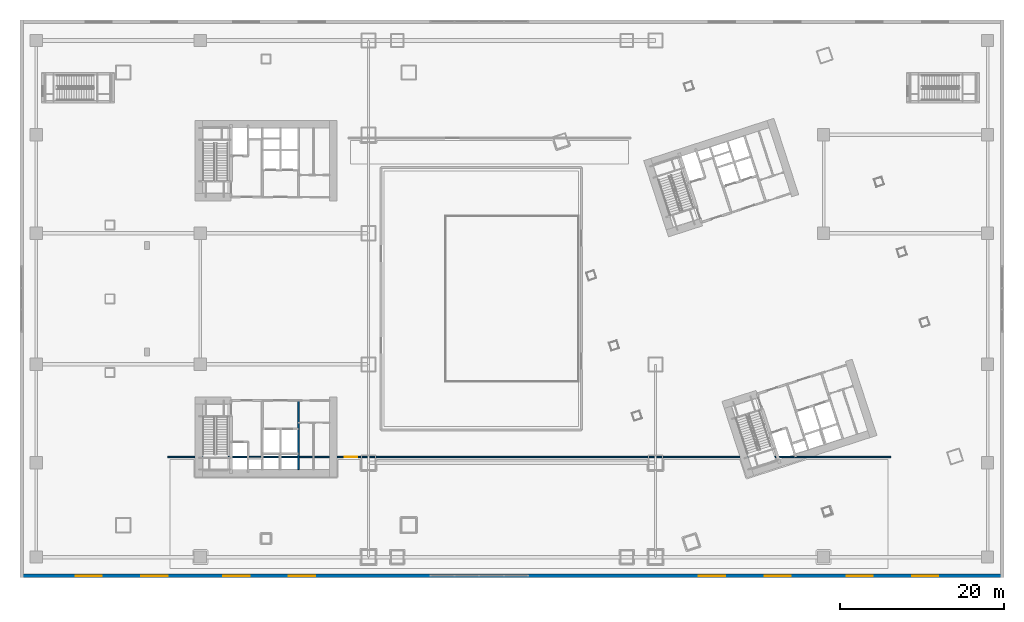
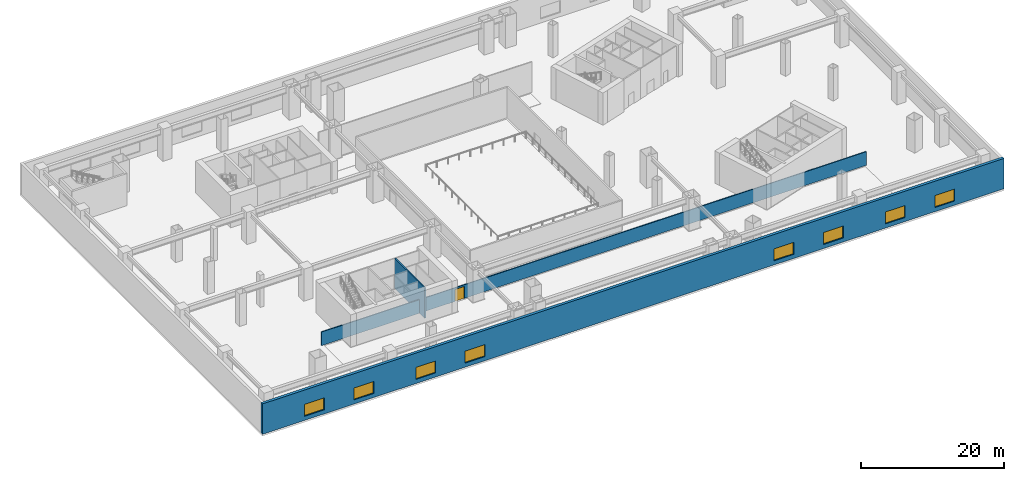
# One storey, part 23 of 35: 8 windows, 3 walls, 1 door, 9 openings.
"""IFC4 building model written with IfcOpenShell, lengths in metres."""

from ifc_helpers import new_model, si_unit, direction, frame, frame_2d, origin, place, context, subcontext, project, spatial, rectangle, extrude, material, layer, layer_set, type_object, element, fill, save


model = new_model("IFC4")

# Units and contexts
model_context = context("Model", 3, precision=1e-05, world=origin(), true_north=direction((0.0, 1.0)))
body_context = subcontext(model_context, "Body", "Model", "MODEL_VIEW")
ifc_project = project(units=[si_unit("LENGTHUNIT", "METRE"), si_unit("AREAUNIT", "SQUARE_METRE"), si_unit("VOLUMEUNIT", "CUBIC_METRE"), si_unit("PLANEANGLEUNIT", "RADIAN"), si_unit("MASSUNIT", "GRAM", prefix="KILO")], contexts=[model_context])

# Site, building, storey
site_placement = place(None, origin())
site = spatial("IfcSite", under=ifc_project, at=site_placement, CompositionType="ELEMENT")
building_placement = place(site_placement, origin())
building = spatial("IfcBuilding", under=site, at=building_placement, Name="Qiaolan Cultural Towers", CompositionType="ELEMENT")
storey_placement = place(building_placement, frame((0.0, 0.0, 6.0)))
storey = spatial("IfcBuildingStorey", under=building, at=storey_placement, Name="L01", CompositionType="ELEMENT", Elevation=6.0)

# Wall, openings, windows
ifc_material_1 = material(Name="Precast Concrete C50 Bush-Hammered Granite Pier", Category="masonry")
ifc_layer_1 = layer(ifc_material_1, 0.449951171875)
ifc_layer_set_1 = layer_set([ifc_layer_1], Name="Precast Concrete C50 Bush-Hammered Granite Pier")
wall_type_1 = type_object("IfcWallType", Name="WL-EXT-POD-450", PredefinedType="SOLIDWALL", material=ifc_layer_set_1)
wall_1_placement = place(storey_placement, frame((120.0, 0.22509765625, 0.0), z_axis=(0.0, 0.0, 1.0), x_axis=(-1.0, 0.0, 0.0)))
wall_1 = element("IfcWall", 1, at=wall_1_placement, inside=storey, type_object=wall_type_1, Name="L01 Podium Precast Facade Wall SOUTH", PredefinedType="SOLIDWALL", context=body_context, shape_type="SweptSolid", body=[
    extrude(rectangle(XDim=120.0, YDim=0.449951171875, at=frame_2d((60.0, 0.0))), origin(), (0.0, 0.0, 1.0), 5.199951171875),
])
opening_1_placement = place(wall_1_placement, frame((8.0, 0.0, 0.699951171875)))
opening_1 = element("IfcOpeningElement", 2, at=opening_1_placement, cuts=wall_1, Name="Opening W-04", PredefinedType="OPENING", context=body_context, shape_type="SweptSolid", body=[
    extrude(rectangle(XDim=3.199951171875, YDim=2.050048828125, at=frame_2d((1.60009765625, 1.02490234375))), frame((0.0, 0.23486328125, 0.0), z_axis=(0.0, -1.0, 0.0), x_axis=(1.0, 0.0, 0.0)), (0.0, 0.0, 1.0), 0.469970703125),
])
opening_2_placement = place(wall_1_placement, frame((16.0, 0.0, 0.699951171875)))
opening_2 = element("IfcOpeningElement", 3, at=opening_2_placement, cuts=wall_1, Name="Opening W-04", PredefinedType="OPENING", context=body_context, shape_type="SweptSolid", body=[
    extrude(rectangle(XDim=3.199951171875, YDim=2.050048828125, at=frame_2d((1.60009765625, 1.02490234375))), frame((0.0, 0.23486328125, 0.0), z_axis=(0.0, -1.0, 0.0), x_axis=(1.0, 0.0, 0.0)), (0.0, 0.0, 1.0), 0.469970703125),
])
opening_3_placement = place(wall_1_placement, frame((26.0, 0.0, 0.699951171875)))
opening_3 = element("IfcOpeningElement", 4, at=opening_3_placement, cuts=wall_1, Name="Opening W-04", PredefinedType="OPENING", context=body_context, shape_type="SweptSolid", body=[
    extrude(rectangle(XDim=3.199951171875, YDim=2.050048828125, at=frame_2d((1.60009765625, 1.02490234375))), frame((0.0, 0.23486328125, 0.0), z_axis=(0.0, -1.0, 0.0), x_axis=(1.0, 0.0, 0.0)), (0.0, 0.0, 1.0), 0.469970703125),
])
opening_4_placement = place(wall_1_placement, frame((34.0, 0.0, 0.699951171875)))
opening_4 = element("IfcOpeningElement", 5, at=opening_4_placement, cuts=wall_1, Name="Opening W-04", PredefinedType="OPENING", context=body_context, shape_type="SweptSolid", body=[
    extrude(rectangle(XDim=3.199951171875, YDim=2.050048828125, at=frame_2d((1.60009765625, 1.02490234375))), frame((0.0, 0.23486328125, 0.0), z_axis=(0.0, -1.0, 0.0), x_axis=(1.0, 0.0, 0.0)), (0.0, 0.0, 1.0), 0.469970703125),
])
opening_5_placement = place(wall_1_placement, frame((84.0, 0.0, 0.699951171875)))
opening_5 = element("IfcOpeningElement", 6, at=opening_5_placement, cuts=wall_1, Name="Opening W-04", PredefinedType="OPENING", context=body_context, shape_type="SweptSolid", body=[
    extrude(rectangle(XDim=3.199951171875, YDim=2.050048828125, at=frame_2d((1.60009765625, 1.02490234375))), frame((0.0, 0.23486328125, 0.0), z_axis=(0.0, -1.0, 0.0), x_axis=(1.0, 0.0, 0.0)), (0.0, 0.0, 1.0), 0.469970703125),
])
opening_6_placement = place(wall_1_placement, frame((92.0, 0.0, 0.699951171875)))
opening_6 = element("IfcOpeningElement", 7, at=opening_6_placement, cuts=wall_1, Name="Opening W-04", PredefinedType="OPENING", context=body_context, shape_type="SweptSolid", body=[
    extrude(rectangle(XDim=3.199951171875, YDim=2.050048828125, at=frame_2d((1.60009765625, 1.02490234375))), frame((0.0, 0.23486328125, 0.0), z_axis=(0.0, -1.0, 0.0), x_axis=(1.0, 0.0, 0.0)), (0.0, 0.0, 1.0), 0.469970703125),
])
opening_7_placement = place(wall_1_placement, frame((102.0, 0.0, 0.699951171875)))
opening_7 = element("IfcOpeningElement", 8, at=opening_7_placement, cuts=wall_1, Name="Opening W-04", PredefinedType="OPENING", context=body_context, shape_type="SweptSolid", body=[
    extrude(rectangle(XDim=3.199951171875, YDim=2.050048828125, at=frame_2d((1.60009765625, 1.02490234375))), frame((0.0, 0.23486328125, 0.0), z_axis=(0.0, -1.0, 0.0), x_axis=(1.0, 0.0, 0.0)), (0.0, 0.0, 1.0), 0.469970703125),
])
opening_8_placement = place(wall_1_placement, frame((110.0, 0.0, 0.699951171875)))
opening_8 = element("IfcOpeningElement", 9, at=opening_8_placement, cuts=wall_1, Name="Opening W-04", PredefinedType="OPENING", context=body_context, shape_type="SweptSolid", body=[
    extrude(rectangle(XDim=3.199951171875, YDim=2.050048828125, at=frame_2d((1.60009765625, 1.02490234375))), frame((0.0, 0.23486328125, 0.0), z_axis=(0.0, -1.0, 0.0), x_axis=(1.0, 0.0, 0.0)), (0.0, 0.0, 1.0), 0.469970703125),
])
ifc_material_2 = material(Name="Thermally Broken Aluminium Triple Low-E Glazing", Category="aluminium")
window_type = type_object("IfcWindowType", Name="WN-POD-3200", PartitioningType="SINGLE_PANEL", PredefinedType="WINDOW", material=ifc_material_2)
window_1_placement = place(opening_1_placement, origin())
window_1 = element("IfcWindow", 10, at=window_1_placement, inside=storey, type_object=window_type, Name="L01 Podium Chicago Window SOUTH-01", OverallHeight=2.050048828125, OverallWidth=3.199951171875, PartitioningType="TRIPLE_PANEL_VERTICAL", PredefinedType="WINDOW", context=body_context, shape_type="SweptSolid", body=[
    extrude(rectangle(XDim=3.199951171875, YDim=2.050048828125, at=frame_2d((1.60009765625, 1.02490234375))), frame((0.0, 0.030029296875, 0.0), z_axis=(0.0, -1.0, 0.0), x_axis=(1.0, 0.0, 0.0)), (0.0, 0.0, 1.0), 0.06005859375),
])
fill(opening_1, window_1)
window_2_placement = place(opening_2_placement, origin())
window_2 = element("IfcWindow", 11, at=window_2_placement, inside=storey, type_object=window_type, Name="L01 Podium Chicago Window SOUTH-02", OverallHeight=2.050048828125, OverallWidth=3.199951171875, PartitioningType="TRIPLE_PANEL_VERTICAL", PredefinedType="WINDOW", context=body_context, shape_type="SweptSolid", body=[
    extrude(rectangle(XDim=3.199951171875, YDim=2.050048828125, at=frame_2d((1.60009765625, 1.02490234375))), frame((0.0, 0.030029296875, 0.0), z_axis=(0.0, -1.0, 0.0), x_axis=(1.0, 0.0, 0.0)), (0.0, 0.0, 1.0), 0.06005859375),
])
fill(opening_2, window_2)
window_3_placement = place(opening_3_placement, origin())
window_3 = element("IfcWindow", 12, at=window_3_placement, inside=storey, type_object=window_type, Name="L01 Podium Chicago Window SOUTH-03", OverallHeight=2.050048828125, OverallWidth=3.199951171875, PartitioningType="TRIPLE_PANEL_VERTICAL", PredefinedType="WINDOW", context=body_context, shape_type="SweptSolid", body=[
    extrude(rectangle(XDim=3.199951171875, YDim=2.050048828125, at=frame_2d((1.60009765625, 1.02490234375))), frame((0.0, 0.030029296875, 0.0), z_axis=(0.0, -1.0, 0.0), x_axis=(1.0, 0.0, 0.0)), (0.0, 0.0, 1.0), 0.06005859375),
])
fill(opening_3, window_3)
window_4_placement = place(opening_4_placement, origin())
window_4 = element("IfcWindow", 13, at=window_4_placement, inside=storey, type_object=window_type, Name="L01 Podium Chicago Window SOUTH-04", OverallHeight=2.050048828125, OverallWidth=3.199951171875, PartitioningType="TRIPLE_PANEL_VERTICAL", PredefinedType="WINDOW", context=body_context, shape_type="SweptSolid", body=[
    extrude(rectangle(XDim=3.199951171875, YDim=2.050048828125, at=frame_2d((1.60009765625, 1.02490234375))), frame((0.0, 0.030029296875, 0.0), z_axis=(0.0, -1.0, 0.0), x_axis=(1.0, 0.0, 0.0)), (0.0, 0.0, 1.0), 0.06005859375),
])
fill(opening_4, window_4)
window_5_placement = place(opening_5_placement, origin())
window_5 = element("IfcWindow", 14, at=window_5_placement, inside=storey, type_object=window_type, Name="L01 Podium Chicago Window SOUTH-05", OverallHeight=2.050048828125, OverallWidth=3.199951171875, PartitioningType="TRIPLE_PANEL_VERTICAL", PredefinedType="WINDOW", context=body_context, shape_type="SweptSolid", body=[
    extrude(rectangle(XDim=3.199951171875, YDim=2.050048828125, at=frame_2d((1.60009765625, 1.02490234375))), frame((0.0, 0.030029296875, 0.0), z_axis=(0.0, -1.0, 0.0), x_axis=(1.0, 0.0, 0.0)), (0.0, 0.0, 1.0), 0.06005859375),
])
fill(opening_5, window_5)
window_6_placement = place(opening_6_placement, origin())
window_6 = element("IfcWindow", 15, at=window_6_placement, inside=storey, type_object=window_type, Name="L01 Podium Chicago Window SOUTH-06", OverallHeight=2.050048828125, OverallWidth=3.199951171875, PartitioningType="TRIPLE_PANEL_VERTICAL", PredefinedType="WINDOW", context=body_context, shape_type="SweptSolid", body=[
    extrude(rectangle(XDim=3.199951171875, YDim=2.050048828125, at=frame_2d((1.60009765625, 1.02490234375))), frame((0.0, 0.030029296875, 0.0), z_axis=(0.0, -1.0, 0.0), x_axis=(1.0, 0.0, 0.0)), (0.0, 0.0, 1.0), 0.06005859375),
])
fill(opening_6, window_6)
window_7_placement = place(opening_7_placement, origin())
window_7 = element("IfcWindow", 16, at=window_7_placement, inside=storey, type_object=window_type, Name="L01 Podium Chicago Window SOUTH-07", OverallHeight=2.050048828125, OverallWidth=3.199951171875, PartitioningType="TRIPLE_PANEL_VERTICAL", PredefinedType="WINDOW", context=body_context, shape_type="SweptSolid", body=[
    extrude(rectangle(XDim=3.199951171875, YDim=2.050048828125, at=frame_2d((1.60009765625, 1.02490234375))), frame((0.0, 0.030029296875, 0.0), z_axis=(0.0, -1.0, 0.0), x_axis=(1.0, 0.0, 0.0)), (0.0, 0.0, 1.0), 0.06005859375),
])
fill(opening_7, window_7)
window_8_placement = place(opening_8_placement, origin())
window_8 = element("IfcWindow", 17, at=window_8_placement, inside=storey, type_object=window_type, Name="L01 Podium Chicago Window SOUTH-08", OverallHeight=2.050048828125, OverallWidth=3.199951171875, PartitioningType="TRIPLE_PANEL_VERTICAL", PredefinedType="WINDOW", context=body_context, shape_type="SweptSolid", body=[
    extrude(rectangle(XDim=3.199951171875, YDim=2.050048828125, at=frame_2d((1.60009765625, 1.02490234375))), frame((0.0, 0.030029296875, 0.0), z_axis=(0.0, -1.0, 0.0), x_axis=(1.0, 0.0, 0.0)), (0.0, 0.0, 1.0), 0.06005859375),
])
fill(opening_8, window_8)

# Wall
ifc_material_3 = material(Name="Concrete C35 Fire Wall", Category="concrete")
ifc_layer_2 = layer(ifc_material_3, 0.199951171875)
ifc_layer_set_2 = layer_set([ifc_layer_2], Name="Concrete C35 Fire Wall")
wall_type_2 = type_object("IfcWallType", Name="WL-FIRE-200", PredefinedType="PARTITIONING", material=ifc_layer_set_2)
wall_2_placement = place(storey_placement, frame((33.949951171875, 21.60009765625, 0.0), z_axis=(0.0, 0.0, 1.0), x_axis=(0.0, -1.0, 0.0)))
element("IfcWall", 18, at=wall_2_placement, inside=storey, type_object=wall_type_2, Name="L01 T1-CS Lift Core East Wall", PredefinedType="PARTITIONING", context=body_context, shape_type="SweptSolid", body=[
    extrude(rectangle(XDim=8.43017578125, YDim=0.199951171875, at=frame_2d((4.215087890625, 0.0))), origin(), (0.0, 0.0, 1.0), 5.18505859375),
])

# Wall, opening, door
ifc_material_4 = material(Name="Autoclaved Aerated Concrete Block B06", Category="concrete")
ifc_layer_3 = layer(ifc_material_4, 0.14990234375)
ifc_layer_set_3 = layer_set([ifc_layer_3], Name="Autoclaved Aerated Concrete Block B06")
wall_type_3 = type_object("IfcWallType", Name="WL-PART-150", PredefinedType="PARTITIONING", material=ifc_layer_set_3)
wall_3_placement = place(storey_placement, frame((18.0, 14.699951171875, 0.0), z_axis=(0.0, 0.0, 1.0), x_axis=(1.0, 0.0, 0.0)))
wall_3 = element("IfcWall", 19, at=wall_3_placement, inside=storey, type_object=wall_type_3, Name="L01 Podium Partition L01-SGW", PredefinedType="PARTITIONING", context=body_context, shape_type="SweptSolid", body=[
    extrude(rectangle(XDim=88.199951171875, YDim=0.14990234375, at=frame_2d((44.10009765625, 0.0))), origin(), (0.0, 0.0, 1.0), 2.324951171875),
])
opening_9_placement = place(wall_3_placement, frame((21.60009765625, 0.0, 0.0)))
opening_9 = element("IfcOpeningElement", 20, at=opening_9_placement, cuts=wall_3, Name="Opening ID-01", PredefinedType="OPENING", context=body_context, shape_type="SweptSolid", body=[
    extrude(rectangle(XDim=1.5, YDim=2.050048828125, at=frame_2d((0.75, 1.02490234375))), frame((0.0, 0.0849609375, 0.0), z_axis=(0.0, -1.0, 0.0), x_axis=(1.0, 0.0, 0.0)), (0.0, 0.0, 1.0), 0.169921875),
])
ifc_material_5 = material(Name="Oak Veneer Solid-Core Double Leaf Door", Category="timber")
door_type = type_object("IfcDoorType", Name="DR-INT-1500", OperationType="NOTDEFINED", PredefinedType="DOOR", material=ifc_material_5)
door_placement = place(opening_9_placement, origin())
door = element("IfcDoor", 21, at=door_placement, inside=storey, type_object=door_type, Name="L01 South Gallery Entrance", OperationType="SINGLE_SWING_LEFT", OverallHeight=2.050048828125, OverallWidth=1.5, PredefinedType="DOOR", context=body_context, shape_type="SweptSolid", body=[
    extrude(rectangle(XDim=1.5, YDim=2.050048828125, at=frame_2d((0.75, 1.02490234375))), frame((0.0, 0.02490234375, 0.0), z_axis=(0.0, -1.0, 0.0), x_axis=(1.0, 0.0, 0.0)), (0.0, 0.0, 1.0), 0.050048828125),
])
fill(opening_9, door)

save(model, "model.ifc")
